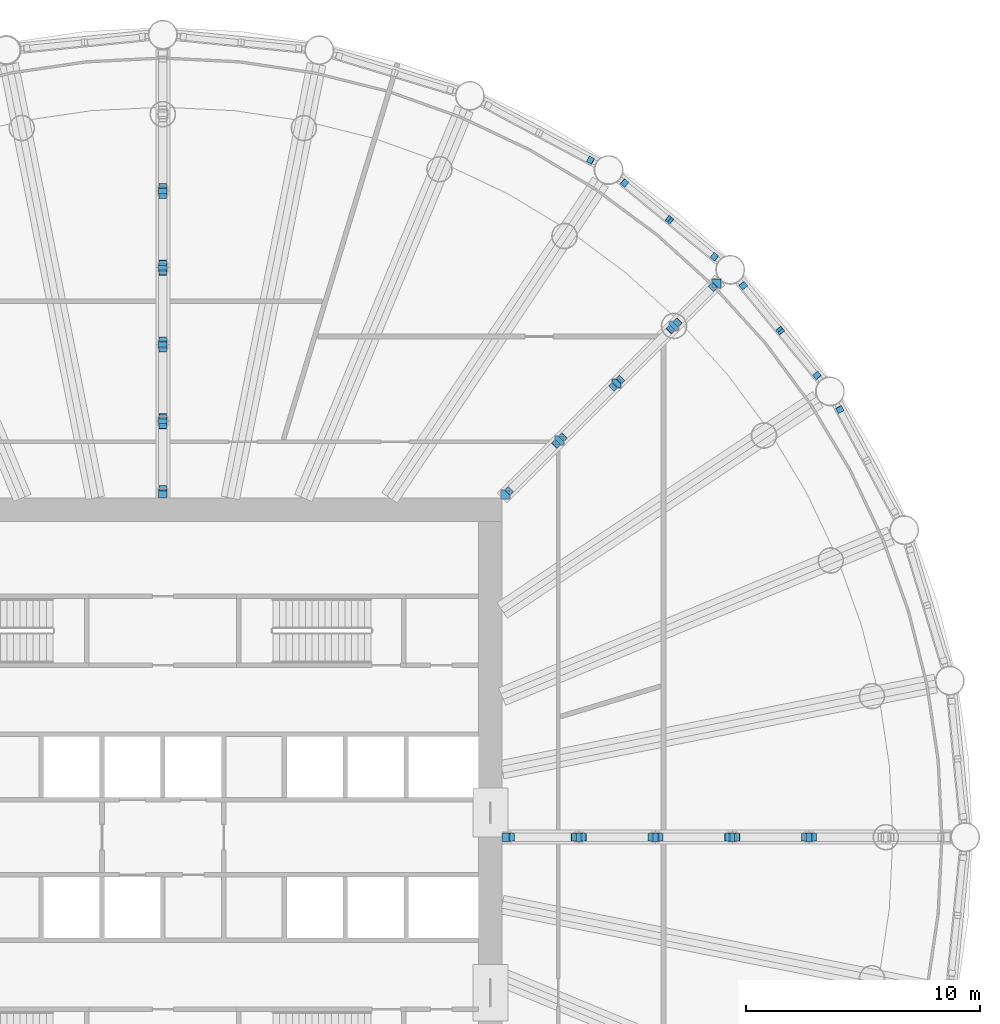
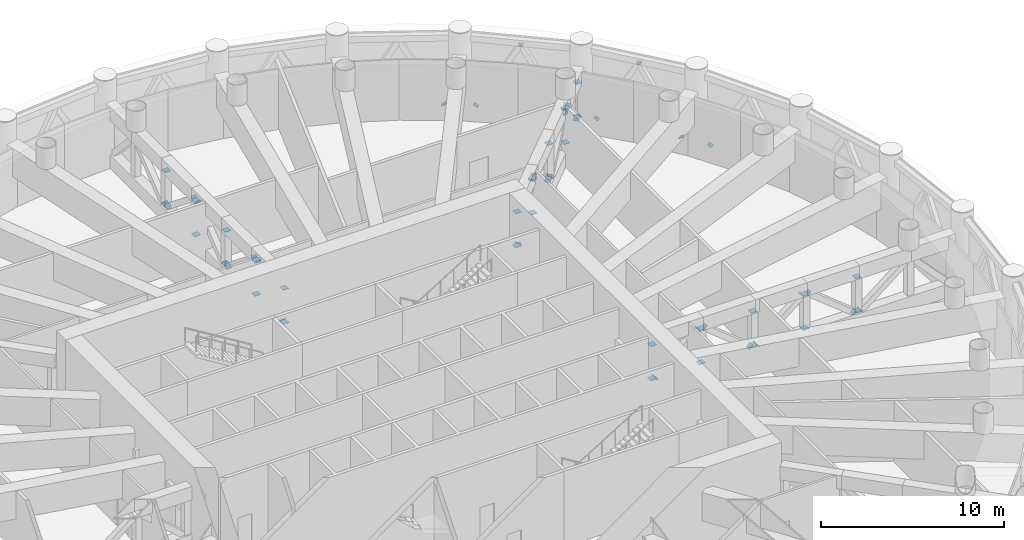
# One storey, part 19 of 29: 66 discrete accessories.
"""IFC4 building model written with IfcOpenShell, lengths in metres."""

from ifc_helpers import new_model, si_unit, direction, frame, origin, origin_2d, place, context, subcontext, project, spatial, rectangle, extrude, material, material_profile, profile_set, type_object, element, save


model = new_model("IFC4")

# Units and contexts
model_context = context("Model", 3, precision=1e-05, world=origin(), true_north=direction((0.0, 1.0)))
body_context = subcontext(model_context, "Body", "Model", "MODEL_VIEW")
ifc_project = project(units=[si_unit("LENGTHUNIT", "METRE"), si_unit("AREAUNIT", "SQUARE_METRE"), si_unit("VOLUMEUNIT", "CUBIC_METRE"), si_unit("PLANEANGLEUNIT", "RADIAN"), si_unit("MASSUNIT", "GRAM", prefix="KILO")], contexts=[model_context])

# Site, building, storey
site_placement = place(None, origin())
site = spatial("IfcSite", under=ifc_project, at=site_placement, CompositionType="ELEMENT")
building_placement = place(site_placement, origin())
building = spatial("IfcBuilding", under=site, at=building_placement, Name="Corvane Civic Tower", CompositionType="ELEMENT")
storey_placement = place(building_placement, frame((0.0, 0.0, 138.5)))
storey = spatial("IfcBuildingStorey", under=building, at=storey_placement, Name="L32", CompositionType="ELEMENT", Elevation=138.5)

# Discrete accessories
ifc_material_1 = material(Name="Steel ASTM A572 Gr 50", Category="steel")
ifc_material_profile_1 = material_profile(ifc_material_1, rectangle(XDim=0.2802734375, YDim=0.2802734375, at=origin_2d()), Name="GUSSET PLATE 25 IN HSS12X12X1/2")
ifc_profile_set_1 = profile_set([ifc_material_profile_1], Name="Steel ASTM A572 Gr 50")
discrete_accessory_type_1 = type_object("IfcDiscreteAccessoryType", Name="GUSSET PLATE 25 IN HSS12X12X1/2", PredefinedType="BRACKET", material=ifc_profile_set_1)
for number, where, z_axis, x_axis, name in (
    (1, (18.284423828125, 28.931640625, 0.406494140625), (-0.442432749188, 0.2359641329, 0.865201820635), (-0.470588235294, -0.882352941176, 0.0), "Gusset plate BD1 end A"),
    (2, (19.732421875, 27.964111328125, 0.406494140625), (0.392837100659, -0.314269680527, 0.86424162145), (0.624695047554, 0.780868809443, 0.0), "Gusset plate BD1 end A"),
):
    element("IfcDiscreteAccessory", number, at=place(storey_placement, frame(where, z_axis=z_axis, x_axis=x_axis)), inside=storey, type_object=discrete_accessory_type_1, Name=name, PredefinedType="BRACKET", context=body_context, shape_type="SweptSolid", body=[
        extrude(rectangle(XDim=0.2802734375, YDim=0.2802734375, at=origin_2d()), origin(), (0.0, 0.0, 1.0), 0.02490234375),
    ])
discrete_accessory_1_placement = place(storey_placement, frame((21.655029296875, 26.386474609375, 4.74365234375), z_axis=(-0.38952622254, 0.311620978032, -0.866695845152), x_axis=(-0.624695047554, -0.780868809443, 0.0)))
element("IfcDiscreteAccessory", 3, at=discrete_accessory_1_placement, inside=storey, type_object=discrete_accessory_type_1, Name="Gusset plate BD1 end B", PredefinedType="BRACKET", context=body_context, shape_type="SweptSolid", body=[
    extrude(rectangle(XDim=0.2802734375, YDim=0.2802734375, at=origin_2d()), origin(), (0.0, 0.0, 1.0), 0.025146484375),
])
for number, where, z_axis, x_axis, name in (
    (4, (23.577392578125, 24.808837890625, 0.406494140625), (-0.392837100659, 0.314269680527, 0.86424162145), (-0.624695047554, -0.780868809443, 0.0), "Gusset plate BD1 end A"),
    (5, (21.655029296875, 26.386474609375, 4.74365234375), (0.381218740201, -0.312794863755, -0.869960714819), (0.634316611678, 0.773073370483, 0.0), "Gusset plate BD1 end B"),
    (6, (24.808837890625, 23.577392578125, 0.406494140625), (0.314269680527, -0.392837100659, 0.86424162145), (0.780868809443, 0.624695047554, 0.0), "Gusset plate BD1 end A"),
    (7, (26.386474609375, 21.655029296875, 4.74365234375), (-0.312794863755, 0.381218740201, -0.869960714819), (-0.773073370483, -0.634316611678, 0.0), "Gusset plate BD1 end B"),
    (8, (27.964111328125, 19.732421875, 0.406494140625), (-0.314269680527, 0.392837100659, 0.86424162145), (-0.780868809443, -0.624695047554, 0.0), "Gusset plate BD1 end A"),
):
    element("IfcDiscreteAccessory", number, at=place(storey_placement, frame(where, z_axis=z_axis, x_axis=x_axis)), inside=storey, type_object=discrete_accessory_type_1, Name=name, PredefinedType="BRACKET", context=body_context, shape_type="SweptSolid", body=[
        extrude(rectangle(XDim=0.2802734375, YDim=0.2802734375, at=origin_2d()), origin(), (0.0, 0.0, 1.0), 0.02490234375),
    ])
discrete_accessory_2_placement = place(storey_placement, frame((26.386474609375, 21.655029296875, 4.74365234375), z_axis=(0.311620978032, -0.38952622254, -0.866695845152), x_axis=(0.780868809443, 0.624695047554, 0.0)))
element("IfcDiscreteAccessory", 9, at=discrete_accessory_2_placement, inside=storey, type_object=discrete_accessory_type_1, Name="Gusset plate BD1 end B", PredefinedType="BRACKET", context=body_context, shape_type="SweptSolid", body=[
    extrude(rectangle(XDim=0.2802734375, YDim=0.2802734375, at=origin_2d()), origin(), (0.0, 0.0, 1.0), 0.025146484375),
])
discrete_accessory_3_placement = place(storey_placement, frame((28.931640625, 18.284423828125, 0.406494140625), z_axis=(0.2359641329, -0.442432749188, 0.865201820635), x_axis=(0.882352941176, 0.470588235294, 0.0)))
element("IfcDiscreteAccessory", 10, at=discrete_accessory_3_placement, inside=storey, type_object=discrete_accessory_type_1, Name="Gusset plate BD1 end A", PredefinedType="BRACKET", context=body_context, shape_type="SweptSolid", body=[
    extrude(rectangle(XDim=0.2802734375, YDim=0.2802734375, at=origin_2d()), origin(), (0.0, 0.0, 1.0), 0.02490234375),
])
ifc_material_2 = material(Name="Steel ASTM A572 Gr 50", Category="steel")
ifc_material_profile_2 = material_profile(ifc_material_2, rectangle(XDim=0.3310546875, YDim=0.3310546875, at=origin_2d()), Name="GUSSET PLATE 25 IN HSS14X14X1/2")
ifc_profile_set_2 = profile_set([ifc_material_profile_2], Name="Steel ASTM A572 Gr 50")
discrete_accessory_type_2 = type_object("IfcDiscreteAccessoryType", Name="GUSSET PLATE 25 IN HSS14X14X1/2", PredefinedType="BRACKET", material=ifc_profile_set_2)
discrete_accessory_4_placement = place(storey_placement, frame((0.0, 14.906494140625, 0.89990234375), z_axis=(0.0, 0.75439456107, 0.656421241451), x_axis=(-1.0, 0.0, 0.0)))
element("IfcDiscreteAccessory", 11, at=discrete_accessory_4_placement, inside=storey, type_object=discrete_accessory_type_2, Name="Gusset plate OD1 end A", PredefinedType="BRACKET", context=body_context, shape_type="SweptSolid", body=[
    extrude(rectangle(XDim=0.3310546875, YDim=0.3310546875, at=origin_2d()), origin(), (0.0, 0.0, 1.0), 0.02490234375),
])
discrete_accessory_5_placement = place(storey_placement, frame((0.0, 17.576904296875, 3.199951171875), z_axis=(0.0, -0.75856969154, -0.651591914528), x_axis=(1.0, 0.0, 0.0)))
element("IfcDiscreteAccessory", 12, at=discrete_accessory_5_placement, inside=storey, type_object=discrete_accessory_type_2, Name="Gusset plate OD1 end B", PredefinedType="BRACKET", context=body_context, shape_type="SweptSolid", body=[
    extrude(rectangle(XDim=0.3310546875, YDim=0.3310546875, at=origin_2d()), origin(), (0.0, 0.0, 1.0), 0.025146484375),
])
for number, where, z_axis, x_axis, name in (
    (13, (0.0, 17.983154296875, 3.199951171875), (0.0, 0.780868809443, -0.624695047554), (-1.0, 0.0, 0.0), "Gusset plate OD1 end A"),
    (14, (0.0, 20.856689453125, 0.89990234375), (0.0, -0.780868809443, 0.624695047554), (1.0, 0.0, 0.0), "Gusset plate OD1 end B"),
    (15, (0.0, 21.26318359375, 0.89990234375), (0.0, 0.780868809443, 0.624695047554), (-1.0, 0.0, 0.0), "Gusset plate OD1 end A"),
    (16, (0.0, 24.13671875, 3.199951171875), (0.0, -0.780868809443, -0.624695047554), (1.0, 0.0, 0.0), "Gusset plate OD1 end B"),
    (17, (0.0, 24.543212890625, 3.199951171875), (0.0, 0.780868809443, -0.624695047554), (-1.0, 0.0, 0.0), "Gusset plate OD1 end A"),
    (18, (0.0, 27.416748046875, 0.89990234375), (0.0, -0.780868809443, 0.624695047554), (1.0, 0.0, 0.0), "Gusset plate OD1 end B"),
    (19, (0.0, 27.8232421875, 0.89990234375), (0.0, 0.780868809443, 0.624695047554), (-1.0, 0.0, 0.0), "Gusset plate OD1 end A"),
    (20, (14.787353515625, 14.787353515625, 0.89990234375), (0.546582129591, 0.546582129591, 0.634425686132), (-0.707106781187, 0.707106781187, 0.0), "Gusset plate OD1 end A"),
    (21, (16.80615234375, 16.80615234375, 3.199951171875), (-0.549971940923, -0.549971940923, -0.628539361055), (0.707106781187, -0.707106781187, 0.0), "Gusset plate OD1 end B"),
    (22, (17.093505859375, 17.093505859375, 3.199951171875), (0.567401695188, 0.567401695188, -0.596750058732), (-0.707106781187, 0.707106781187, 0.0), "Gusset plate OD1 end A"),
):
    element("IfcDiscreteAccessory", number, at=place(storey_placement, frame(where, z_axis=z_axis, x_axis=x_axis)), inside=storey, type_object=discrete_accessory_type_2, Name=name, PredefinedType="BRACKET", context=body_context, shape_type="SweptSolid", body=[
        extrude(rectangle(XDim=0.3310546875, YDim=0.3310546875, at=origin_2d()), origin(), (0.0, 0.0, 1.0), 0.02490234375),
    ])
for number, where, z_axis, x_axis, name in (
    (23, (19.256103515625, 19.256103515625, 0.89990234375), (-0.564091319087, -0.564091319087, 0.602994168679), (0.707106781187, -0.707106781187, 0.0), "Gusset plate OD1 end B"),
    (24, (19.54345703125, 19.54345703125, 0.89990234375), (0.564091319087, 0.564091319087, 0.602994168679), (-0.707106781187, 0.707106781187, 0.0), "Gusset plate OD1 end A"),
):
    element("IfcDiscreteAccessory", number, at=place(storey_placement, frame(where, z_axis=z_axis, x_axis=x_axis)), inside=storey, type_object=discrete_accessory_type_2, Name=name, PredefinedType="BRACKET", context=body_context, shape_type="SweptSolid", body=[
        extrude(rectangle(XDim=0.3310546875, YDim=0.3310546875, at=origin_2d()), origin(), (0.0, 0.0, 1.0), 0.025146484375),
    ])
discrete_accessory_6_placement = place(storey_placement, frame((21.705810546875, 21.705810546875, 3.199951171875), z_axis=(-0.563859180868, -0.563859180868, -0.603428246192), x_axis=(0.707106781187, -0.707106781187, 0.0)))
element("IfcDiscreteAccessory", 25, at=discrete_accessory_6_placement, inside=storey, type_object=discrete_accessory_type_2, Name="Gusset plate OD1 end B", PredefinedType="BRACKET", context=body_context, shape_type="SweptSolid", body=[
    extrude(rectangle(XDim=0.3310546875, YDim=0.3310546875, at=origin_2d()), origin(), (0.0, 0.0, 1.0), 0.024658203125),
])
for number, where, z_axis, x_axis, name in (
    (26, (21.9931640625, 21.9931640625, 3.199951171875), (0.488508651467, 0.488508651467, -0.722992804171), (-0.707106781187, 0.707106781187, 0.0), "Gusset plate OD1 end A"),
    (27, (23.5244140625, 23.5244140625, 0.89990234375), (-0.479862037013, -0.479862037013, 0.734482709713), (0.707106781187, -0.707106781187, 0.0), "Gusset plate OD1 end B"),
    (28, (14.906494140625, 0.0, 0.89990234375), (0.75439456107, 0.0, 0.656421241451), (0.0, 1.0, 0.0), "Gusset plate OD1 end A"),
):
    element("IfcDiscreteAccessory", number, at=place(storey_placement, frame(where, z_axis=z_axis, x_axis=x_axis)), inside=storey, type_object=discrete_accessory_type_2, Name=name, PredefinedType="BRACKET", context=body_context, shape_type="SweptSolid", body=[
        extrude(rectangle(XDim=0.3310546875, YDim=0.3310546875, at=origin_2d()), origin(), (0.0, 0.0, 1.0), 0.02490234375),
    ])
discrete_accessory_7_placement = place(storey_placement, frame((17.576904296875, 0.0, 3.199951171875), z_axis=(-0.75856969154, 0.0, -0.651591914528), x_axis=(0.0, -1.0, 0.0)))
element("IfcDiscreteAccessory", 29, at=discrete_accessory_7_placement, inside=storey, type_object=discrete_accessory_type_2, Name="Gusset plate OD1 end B", PredefinedType="BRACKET", context=body_context, shape_type="SweptSolid", body=[
    extrude(rectangle(XDim=0.3310546875, YDim=0.3310546875, at=origin_2d()), origin(), (0.0, 0.0, 1.0), 0.025146484375),
])
for number, where, z_axis, x_axis, name in (
    (30, (17.983154296875, 0.0, 3.199951171875), (0.780868809443, 0.0, -0.624695047554), (0.0, 1.0, 0.0), "Gusset plate OD1 end A"),
    (31, (20.856689453125, 0.0, 0.89990234375), (-0.780868809443, 0.0, 0.624695047554), (0.0, -1.0, 0.0), "Gusset plate OD1 end B"),
    (32, (21.26318359375, 0.0, 0.89990234375), (0.780868809443, 0.0, 0.624695047554), (0.0, 1.0, 0.0), "Gusset plate OD1 end A"),
    (33, (24.13671875, 0.0, 3.199951171875), (-0.780868809443, 0.0, -0.624695047554), (0.0, -1.0, 0.0), "Gusset plate OD1 end B"),
    (34, (24.543212890625, 0.0, 3.199951171875), (0.780868809443, 0.0, -0.624695047554), (0.0, 1.0, 0.0), "Gusset plate OD1 end A"),
    (35, (27.416748046875, 0.0, 0.89990234375), (-0.780868809443, 0.0, 0.624695047554), (0.0, -1.0, 0.0), "Gusset plate OD1 end B"),
    (36, (27.8232421875, 0.0, 0.89990234375), (0.780868809443, 0.0, 0.624695047554), (0.0, 1.0, 0.0), "Gusset plate OD1 end A"),
):
    element("IfcDiscreteAccessory", number, at=place(storey_placement, frame(where, z_axis=z_axis, x_axis=x_axis)), inside=storey, type_object=discrete_accessory_type_2, Name=name, PredefinedType="BRACKET", context=body_context, shape_type="SweptSolid", body=[
        extrude(rectangle(XDim=0.3310546875, YDim=0.3310546875, at=origin_2d()), origin(), (0.0, 0.0, 1.0), 0.02490234375),
    ])
ifc_material_3 = material(Name="Steel ASTM A572 Gr 50", Category="steel")
ifc_material_profile_3 = material_profile(ifc_material_3, rectangle(XDim=0.3759765625, YDim=0.3759765625, at=origin_2d()), Name="GUSSET PLATE 25 IN HSS16X16X5/8")
ifc_profile_set_3 = profile_set([ifc_material_profile_3], Name="Steel ASTM A572 Gr 50")
discrete_accessory_type_3 = type_object("IfcDiscreteAccessoryType", Name="GUSSET PLATE 25 IN HSS16X16X5/8", PredefinedType="BRACKET", material=ifc_profile_set_3)
discrete_accessory_8_placement = place(storey_placement, frame((0.0, 14.703125, 0.89990234375), z_axis=(0.0, 0.0, 1.0), x_axis=(1.0, 0.0, 0.0)))
element("IfcDiscreteAccessory", 37, at=discrete_accessory_8_placement, inside=storey, type_object=discrete_accessory_type_3, Name="Gusset plate OP1 end A", PredefinedType="BRACKET", context=body_context, shape_type="SweptSolid", body=[
    extrude(rectangle(XDim=0.3759765625, YDim=0.3759765625, at=origin_2d()), origin(), (0.0, 0.0, 1.0), 0.025146484375),
])
discrete_accessory_9_placement = place(storey_placement, frame((0.0, 14.703125, 3.199951171875), z_axis=(0.0, 0.0, -1.0), x_axis=(1.0, 0.0, 0.0)))
element("IfcDiscreteAccessory", 38, at=discrete_accessory_9_placement, inside=storey, type_object=discrete_accessory_type_3, Name="Gusset plate OP1 end B", PredefinedType="BRACKET", context=body_context, shape_type="SweptSolid", body=[
    extrude(rectangle(XDim=0.3759765625, YDim=0.3759765625, at=origin_2d()), origin(), (0.0, 0.0, 1.0), 0.02490234375),
])
discrete_accessory_10_placement = place(storey_placement, frame((0.0, 17.780029296875, 0.89990234375), z_axis=(0.0, 0.0, 1.0), x_axis=(1.0, 0.0, 0.0)))
element("IfcDiscreteAccessory", 39, at=discrete_accessory_10_placement, inside=storey, type_object=discrete_accessory_type_3, Name="Gusset plate OP1 end A", PredefinedType="BRACKET", context=body_context, shape_type="SweptSolid", body=[
    extrude(rectangle(XDim=0.3759765625, YDim=0.3759765625, at=origin_2d()), origin(), (0.0, 0.0, 1.0), 0.025146484375),
])
discrete_accessory_11_placement = place(storey_placement, frame((0.0, 17.780029296875, 3.199951171875), z_axis=(0.0, 0.0, -1.0), x_axis=(1.0, 0.0, 0.0)))
element("IfcDiscreteAccessory", 40, at=discrete_accessory_11_placement, inside=storey, type_object=discrete_accessory_type_3, Name="Gusset plate OP1 end B", PredefinedType="BRACKET", context=body_context, shape_type="SweptSolid", body=[
    extrude(rectangle(XDim=0.3759765625, YDim=0.3759765625, at=origin_2d()), origin(), (0.0, 0.0, 1.0), 0.02490234375),
])
discrete_accessory_12_placement = place(storey_placement, frame((0.0, 21.06005859375, 0.89990234375), z_axis=(0.0, 0.0, 1.0), x_axis=(1.0, 0.0, 0.0)))
element("IfcDiscreteAccessory", 41, at=discrete_accessory_12_placement, inside=storey, type_object=discrete_accessory_type_3, Name="Gusset plate OP1 end A", PredefinedType="BRACKET", context=body_context, shape_type="SweptSolid", body=[
    extrude(rectangle(XDim=0.3759765625, YDim=0.3759765625, at=origin_2d()), origin(), (0.0, 0.0, 1.0), 0.025146484375),
])
discrete_accessory_13_placement = place(storey_placement, frame((0.0, 21.06005859375, 3.199951171875), z_axis=(0.0, 0.0, -1.0), x_axis=(1.0, 0.0, 0.0)))
element("IfcDiscreteAccessory", 42, at=discrete_accessory_13_placement, inside=storey, type_object=discrete_accessory_type_3, Name="Gusset plate OP1 end B", PredefinedType="BRACKET", context=body_context, shape_type="SweptSolid", body=[
    extrude(rectangle(XDim=0.3759765625, YDim=0.3759765625, at=origin_2d()), origin(), (0.0, 0.0, 1.0), 0.02490234375),
])
discrete_accessory_14_placement = place(storey_placement, frame((0.0, 24.340087890625, 0.89990234375), z_axis=(0.0, 0.0, 1.0), x_axis=(1.0, 0.0, 0.0)))
element("IfcDiscreteAccessory", 43, at=discrete_accessory_14_placement, inside=storey, type_object=discrete_accessory_type_3, Name="Gusset plate OP1 end A", PredefinedType="BRACKET", context=body_context, shape_type="SweptSolid", body=[
    extrude(rectangle(XDim=0.3759765625, YDim=0.3759765625, at=origin_2d()), origin(), (0.0, 0.0, 1.0), 0.025146484375),
])
discrete_accessory_15_placement = place(storey_placement, frame((0.0, 24.340087890625, 3.199951171875), z_axis=(0.0, 0.0, -1.0), x_axis=(1.0, 0.0, 0.0)))
element("IfcDiscreteAccessory", 44, at=discrete_accessory_15_placement, inside=storey, type_object=discrete_accessory_type_3, Name="Gusset plate OP1 end B", PredefinedType="BRACKET", context=body_context, shape_type="SweptSolid", body=[
    extrude(rectangle(XDim=0.3759765625, YDim=0.3759765625, at=origin_2d()), origin(), (0.0, 0.0, 1.0), 0.02490234375),
])
discrete_accessory_16_placement = place(storey_placement, frame((0.0, 27.6201171875, 0.89990234375), z_axis=(0.0, 0.0, 1.0), x_axis=(1.0, 0.0, 0.0)))
element("IfcDiscreteAccessory", 45, at=discrete_accessory_16_placement, inside=storey, type_object=discrete_accessory_type_3, Name="Gusset plate OP1 end A", PredefinedType="BRACKET", context=body_context, shape_type="SweptSolid", body=[
    extrude(rectangle(XDim=0.3759765625, YDim=0.3759765625, at=origin_2d()), origin(), (0.0, 0.0, 1.0), 0.025146484375),
])
discrete_accessory_17_placement = place(storey_placement, frame((0.0, 27.6201171875, 3.199951171875), z_axis=(0.0, 0.0, -1.0), x_axis=(1.0, 0.0, 0.0)))
element("IfcDiscreteAccessory", 46, at=discrete_accessory_17_placement, inside=storey, type_object=discrete_accessory_type_3, Name="Gusset plate OP1 end B", PredefinedType="BRACKET", context=body_context, shape_type="SweptSolid", body=[
    extrude(rectangle(XDim=0.3759765625, YDim=0.3759765625, at=origin_2d()), origin(), (0.0, 0.0, 1.0), 0.02490234375),
])
discrete_accessory_18_placement = place(storey_placement, frame((14.643798828125, 14.643798828125, 0.89990234375), z_axis=(0.0, 0.0, 1.0), x_axis=(1.0, 0.0, 0.0)))
element("IfcDiscreteAccessory", 47, at=discrete_accessory_18_placement, inside=storey, type_object=discrete_accessory_type_3, Name="Gusset plate OP1 end A", PredefinedType="BRACKET", context=body_context, shape_type="SweptSolid", body=[
    extrude(rectangle(XDim=0.3759765625, YDim=0.3759765625, at=origin_2d()), origin(), (0.0, 0.0, 1.0), 0.025146484375),
])
discrete_accessory_19_placement = place(storey_placement, frame((14.643798828125, 14.643798828125, 3.199951171875), z_axis=(0.0, 0.0, -1.0), x_axis=(1.0, 0.0, 0.0)))
element("IfcDiscreteAccessory", 48, at=discrete_accessory_19_placement, inside=storey, type_object=discrete_accessory_type_3, Name="Gusset plate OP1 end B", PredefinedType="BRACKET", context=body_context, shape_type="SweptSolid", body=[
    extrude(rectangle(XDim=0.3759765625, YDim=0.3759765625, at=origin_2d()), origin(), (0.0, 0.0, 1.0), 0.02490234375),
])
discrete_accessory_20_placement = place(storey_placement, frame((16.949951171875, 16.949951171875, 0.89990234375), z_axis=(0.0, 0.0, 1.0), x_axis=(1.0, 0.0, 0.0)))
element("IfcDiscreteAccessory", 49, at=discrete_accessory_20_placement, inside=storey, type_object=discrete_accessory_type_3, Name="Gusset plate OP1 end A", PredefinedType="BRACKET", context=body_context, shape_type="SweptSolid", body=[
    extrude(rectangle(XDim=0.3759765625, YDim=0.3759765625, at=origin_2d()), origin(), (0.0, 0.0, 1.0), 0.025146484375),
])
discrete_accessory_21_placement = place(storey_placement, frame((16.949951171875, 16.949951171875, 3.199951171875), z_axis=(0.0, 0.0, -1.0), x_axis=(1.0, 0.0, 0.0)))
element("IfcDiscreteAccessory", 50, at=discrete_accessory_21_placement, inside=storey, type_object=discrete_accessory_type_3, Name="Gusset plate OP1 end B", PredefinedType="BRACKET", context=body_context, shape_type="SweptSolid", body=[
    extrude(rectangle(XDim=0.3759765625, YDim=0.3759765625, at=origin_2d()), origin(), (0.0, 0.0, 1.0), 0.02490234375),
])
discrete_accessory_22_placement = place(storey_placement, frame((19.399658203125, 19.399658203125, 0.89990234375), z_axis=(0.0, 0.0, 1.0), x_axis=(1.0, 0.0, 0.0)))
element("IfcDiscreteAccessory", 51, at=discrete_accessory_22_placement, inside=storey, type_object=discrete_accessory_type_3, Name="Gusset plate OP1 end A", PredefinedType="BRACKET", context=body_context, shape_type="SweptSolid", body=[
    extrude(rectangle(XDim=0.3759765625, YDim=0.3759765625, at=origin_2d()), origin(), (0.0, 0.0, 1.0), 0.025146484375),
])
discrete_accessory_23_placement = place(storey_placement, frame((19.399658203125, 19.399658203125, 3.199951171875), z_axis=(0.0, 0.0, -1.0), x_axis=(1.0, 0.0, 0.0)))
element("IfcDiscreteAccessory", 52, at=discrete_accessory_23_placement, inside=storey, type_object=discrete_accessory_type_3, Name="Gusset plate OP1 end B", PredefinedType="BRACKET", context=body_context, shape_type="SweptSolid", body=[
    extrude(rectangle(XDim=0.3759765625, YDim=0.3759765625, at=origin_2d()), origin(), (0.0, 0.0, 1.0), 0.02490234375),
])
discrete_accessory_24_placement = place(storey_placement, frame((21.849609375, 21.849609375, 0.89990234375), z_axis=(0.0, 0.0, 1.0), x_axis=(1.0, 0.0, 0.0)))
element("IfcDiscreteAccessory", 53, at=discrete_accessory_24_placement, inside=storey, type_object=discrete_accessory_type_3, Name="Gusset plate OP1 end A", PredefinedType="BRACKET", context=body_context, shape_type="SweptSolid", body=[
    extrude(rectangle(XDim=0.3759765625, YDim=0.3759765625, at=origin_2d()), origin(), (0.0, 0.0, 1.0), 0.025146484375),
])
discrete_accessory_25_placement = place(storey_placement, frame((21.849609375, 21.849609375, 3.199951171875), z_axis=(0.0, 0.0, -1.0), x_axis=(1.0, 0.0, 0.0)))
element("IfcDiscreteAccessory", 54, at=discrete_accessory_25_placement, inside=storey, type_object=discrete_accessory_type_3, Name="Gusset plate OP1 end B", PredefinedType="BRACKET", context=body_context, shape_type="SweptSolid", body=[
    extrude(rectangle(XDim=0.3759765625, YDim=0.3759765625, at=origin_2d()), origin(), (0.0, 0.0, 1.0), 0.02490234375),
])
discrete_accessory_26_placement = place(storey_placement, frame((23.668212890625, 23.668212890625, 0.89990234375), z_axis=(0.0, 0.0, 1.0), x_axis=(1.0, 0.0, 0.0)))
element("IfcDiscreteAccessory", 55, at=discrete_accessory_26_placement, inside=storey, type_object=discrete_accessory_type_3, Name="Gusset plate OP1 end A", PredefinedType="BRACKET", context=body_context, shape_type="SweptSolid", body=[
    extrude(rectangle(XDim=0.3759765625, YDim=0.3759765625, at=origin_2d()), origin(), (0.0, 0.0, 1.0), 0.025146484375),
])
discrete_accessory_27_placement = place(storey_placement, frame((23.668212890625, 23.668212890625, 3.199951171875), z_axis=(0.0, 0.0, -1.0), x_axis=(1.0, 0.0, 0.0)))
element("IfcDiscreteAccessory", 56, at=discrete_accessory_27_placement, inside=storey, type_object=discrete_accessory_type_3, Name="Gusset plate OP1 end B", PredefinedType="BRACKET", context=body_context, shape_type="SweptSolid", body=[
    extrude(rectangle(XDim=0.3759765625, YDim=0.3759765625, at=origin_2d()), origin(), (0.0, 0.0, 1.0), 0.02490234375),
])
discrete_accessory_28_placement = place(storey_placement, frame((14.703125, 0.0, 0.89990234375), z_axis=(0.0, 0.0, 1.0), x_axis=(1.0, 0.0, 0.0)))
element("IfcDiscreteAccessory", 57, at=discrete_accessory_28_placement, inside=storey, type_object=discrete_accessory_type_3, Name="Gusset plate OP1 end A", PredefinedType="BRACKET", context=body_context, shape_type="SweptSolid", body=[
    extrude(rectangle(XDim=0.3759765625, YDim=0.3759765625, at=origin_2d()), origin(), (0.0, 0.0, 1.0), 0.025146484375),
])
discrete_accessory_29_placement = place(storey_placement, frame((14.703125, 0.0, 3.199951171875), z_axis=(0.0, 0.0, -1.0), x_axis=(1.0, 0.0, 0.0)))
element("IfcDiscreteAccessory", 58, at=discrete_accessory_29_placement, inside=storey, type_object=discrete_accessory_type_3, Name="Gusset plate OP1 end B", PredefinedType="BRACKET", context=body_context, shape_type="SweptSolid", body=[
    extrude(rectangle(XDim=0.3759765625, YDim=0.3759765625, at=origin_2d()), origin(), (0.0, 0.0, 1.0), 0.02490234375),
])
discrete_accessory_30_placement = place(storey_placement, frame((17.780029296875, 0.0, 0.89990234375), z_axis=(0.0, 0.0, 1.0), x_axis=(1.0, 0.0, 0.0)))
element("IfcDiscreteAccessory", 59, at=discrete_accessory_30_placement, inside=storey, type_object=discrete_accessory_type_3, Name="Gusset plate OP1 end A", PredefinedType="BRACKET", context=body_context, shape_type="SweptSolid", body=[
    extrude(rectangle(XDim=0.3759765625, YDim=0.3759765625, at=origin_2d()), origin(), (0.0, 0.0, 1.0), 0.025146484375),
])
discrete_accessory_31_placement = place(storey_placement, frame((17.780029296875, 0.0, 3.199951171875), z_axis=(0.0, 0.0, -1.0), x_axis=(1.0, 0.0, 0.0)))
element("IfcDiscreteAccessory", 60, at=discrete_accessory_31_placement, inside=storey, type_object=discrete_accessory_type_3, Name="Gusset plate OP1 end B", PredefinedType="BRACKET", context=body_context, shape_type="SweptSolid", body=[
    extrude(rectangle(XDim=0.3759765625, YDim=0.3759765625, at=origin_2d()), origin(), (0.0, 0.0, 1.0), 0.02490234375),
])
discrete_accessory_32_placement = place(storey_placement, frame((21.06005859375, 0.0, 0.89990234375), z_axis=(0.0, 0.0, 1.0), x_axis=(1.0, 0.0, 0.0)))
element("IfcDiscreteAccessory", 61, at=discrete_accessory_32_placement, inside=storey, type_object=discrete_accessory_type_3, Name="Gusset plate OP1 end A", PredefinedType="BRACKET", context=body_context, shape_type="SweptSolid", body=[
    extrude(rectangle(XDim=0.3759765625, YDim=0.3759765625, at=origin_2d()), origin(), (0.0, 0.0, 1.0), 0.025146484375),
])
discrete_accessory_33_placement = place(storey_placement, frame((21.06005859375, 0.0, 3.199951171875), z_axis=(0.0, 0.0, -1.0), x_axis=(1.0, 0.0, 0.0)))
element("IfcDiscreteAccessory", 62, at=discrete_accessory_33_placement, inside=storey, type_object=discrete_accessory_type_3, Name="Gusset plate OP1 end B", PredefinedType="BRACKET", context=body_context, shape_type="SweptSolid", body=[
    extrude(rectangle(XDim=0.3759765625, YDim=0.3759765625, at=origin_2d()), origin(), (0.0, 0.0, 1.0), 0.02490234375),
])
discrete_accessory_34_placement = place(storey_placement, frame((24.340087890625, 0.0, 0.89990234375), z_axis=(0.0, 0.0, 1.0), x_axis=(1.0, 0.0, 0.0)))
element("IfcDiscreteAccessory", 63, at=discrete_accessory_34_placement, inside=storey, type_object=discrete_accessory_type_3, Name="Gusset plate OP1 end A", PredefinedType="BRACKET", context=body_context, shape_type="SweptSolid", body=[
    extrude(rectangle(XDim=0.3759765625, YDim=0.3759765625, at=origin_2d()), origin(), (0.0, 0.0, 1.0), 0.025146484375),
])
discrete_accessory_35_placement = place(storey_placement, frame((24.340087890625, 0.0, 3.199951171875), z_axis=(0.0, 0.0, -1.0), x_axis=(1.0, 0.0, 0.0)))
element("IfcDiscreteAccessory", 64, at=discrete_accessory_35_placement, inside=storey, type_object=discrete_accessory_type_3, Name="Gusset plate OP1 end B", PredefinedType="BRACKET", context=body_context, shape_type="SweptSolid", body=[
    extrude(rectangle(XDim=0.3759765625, YDim=0.3759765625, at=origin_2d()), origin(), (0.0, 0.0, 1.0), 0.02490234375),
])
discrete_accessory_36_placement = place(storey_placement, frame((27.6201171875, 0.0, 0.89990234375), z_axis=(0.0, 0.0, 1.0), x_axis=(1.0, 0.0, 0.0)))
element("IfcDiscreteAccessory", 65, at=discrete_accessory_36_placement, inside=storey, type_object=discrete_accessory_type_3, Name="Gusset plate OP1 end A", PredefinedType="BRACKET", context=body_context, shape_type="SweptSolid", body=[
    extrude(rectangle(XDim=0.3759765625, YDim=0.3759765625, at=origin_2d()), origin(), (0.0, 0.0, 1.0), 0.025146484375),
])
discrete_accessory_37_placement = place(storey_placement, frame((27.6201171875, 0.0, 3.199951171875), z_axis=(0.0, 0.0, -1.0), x_axis=(1.0, 0.0, 0.0)))
element("IfcDiscreteAccessory", 66, at=discrete_accessory_37_placement, inside=storey, type_object=discrete_accessory_type_3, Name="Gusset plate OP1 end B", PredefinedType="BRACKET", context=body_context, shape_type="SweptSolid", body=[
    extrude(rectangle(XDim=0.3759765625, YDim=0.3759765625, at=origin_2d()), origin(), (0.0, 0.0, 1.0), 0.02490234375),
])

save(model, "model.ifc")
